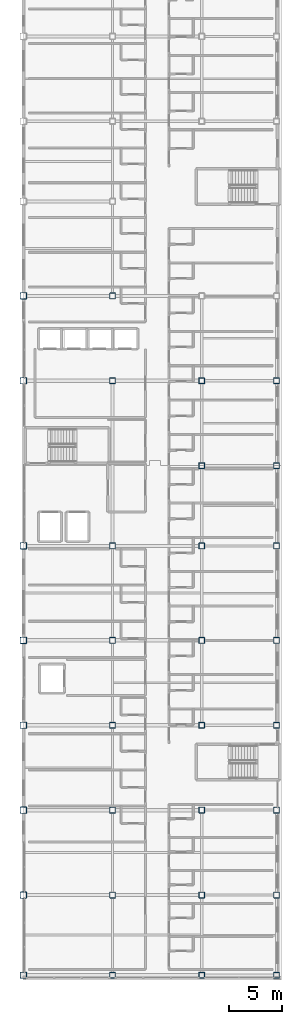
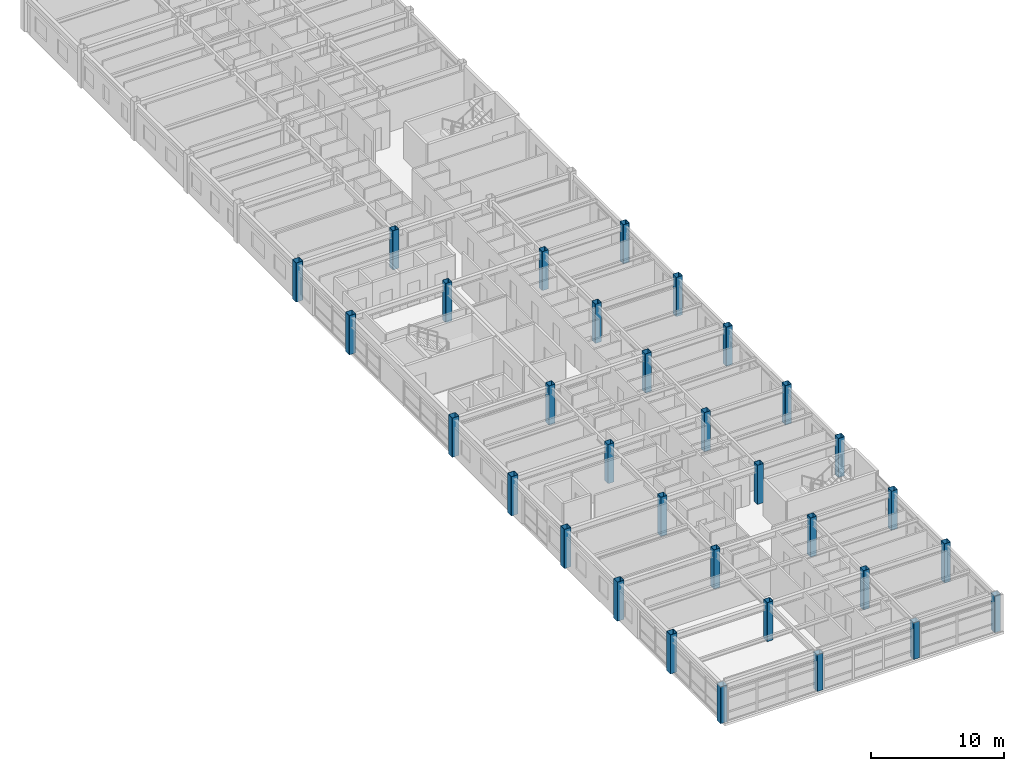
# One storey, part 1 of 36: 32 columns.
"""IFC4 building model written with IfcOpenShell, lengths in metres."""

from ifc_helpers import new_model, si_unit, direction, frame, origin, origin_2d, place, context, subcontext, project, spatial, hollow_rectangle, extrude, material, material_profile, profile_set, type_object, element, save


model = new_model("IFC4")

# Units and contexts
model_context = context("Model", 3, precision=1e-05, world=origin(), true_north=direction((0.0, 1.0)))
body_context = subcontext(model_context, "Body", "Model", "MODEL_VIEW")
ifc_project = project(units=[si_unit("LENGTHUNIT", "METRE"), si_unit("AREAUNIT", "SQUARE_METRE"), si_unit("VOLUMEUNIT", "CUBIC_METRE"), si_unit("PLANEANGLEUNIT", "RADIAN"), si_unit("MASSUNIT", "GRAM", prefix="KILO")], contexts=[model_context])

# Site, building, storey
site_placement = place(None, origin())
site = spatial("IfcSite", under=ifc_project, at=site_placement, CompositionType="ELEMENT")
building_placement = place(site_placement, origin())
building = spatial("IfcBuilding", under=site, at=building_placement, Name="Kazehara Bluff Congress Hotel", CompositionType="ELEMENT")
storey_placement = place(building_placement, frame((0.0, 0.0, 28.199951171875)))
storey = spatial("IfcBuildingStorey", under=building, at=storey_placement, Name="L06", CompositionType="ELEMENT", Elevation=28.199951171875)

# Columns
ifc_material_1 = material(Name="Steel BCR295", Category="steel")
ifc_material_profile_1 = material_profile(ifc_material_1, hollow_rectangle(XDim=0.60009765625, YDim=0.60009765625, WallThickness=0.02490234375, InnerFilletRadius=0.02490234375, OuterFilletRadius=0.050048828125, at=origin_2d()))
ifc_profile_set_1 = profile_set([ifc_material_profile_1], Name="Steel BCR295")
column_type_1 = type_object("IfcColumnType", Name="TP-C-05", PredefinedType="COLUMN", material=ifc_profile_set_1)
column_1_placement = place(storey_placement, frame((143.699951171875, 0.449951171875, 0.0), z_axis=(0.0, 0.0, 1.0), x_axis=(1.0, 0.0, 0.0)))
element("IfcColumn", 1, at=column_1_placement, inside=storey, type_object=column_type_1, Name="L06 column C-05 (143.70,0.45)", PredefinedType="COLUMN", context=body_context, shape_type="SweptSolid", body=[
    extrude(hollow_rectangle(XDim=0.60009765625, YDim=0.60009765625, WallThickness=0.02490234375, InnerFilletRadius=0.02490234375, OuterFilletRadius=0.050048828125, at=origin_2d()), origin(), (0.0, 0.0, 1.0), 3.380126953125),
])
for number, where, z_axis, x_axis, name in (
    (2, (143.699951171875, 8.0, 0.0), (0.0, 0.0, 1.0), (1.0, 0.0, 0.0), "L06 column C-05 (143.70,8.00)"),
    (3, (143.699951171875, 16.0, 0.0), (0.0, 0.0, 1.0), (1.0, 0.0, 0.0), "L06 column C-05 (143.70,16.00)"),
    (4, (143.699951171875, 24.0, 0.0), (0.0, 0.0, 1.0), (1.0, 0.0, 0.0), "L06 column C-05 (143.70,24.00)"),
    (5, (143.699951171875, 32.0, 0.0), (0.0, 0.0, 1.0), (1.0, 0.0, 0.0), "L06 column C-05 (143.70,32.00)"),
    (6, (143.699951171875, 40.89990234375, 0.0), (0.0, 0.0, 1.0), (1.0, 0.0, 0.0), "L06 column C-05 (143.70,40.90)"),
    (7, (143.699951171875, 56.449951171875, 0.0), (0.0, 0.0, 1.0), (1.0, 0.0, 0.0), "L06 column C-05 (143.70,56.45)"),
    (8, (143.699951171875, 64.449951171875, 0.0), (0.0, 0.0, 1.0), (1.0, 0.0, 0.0), "L06 column C-05 (143.70,64.45)"),
):
    element("IfcColumn", number, at=place(storey_placement, frame(where, z_axis=z_axis, x_axis=x_axis)), inside=storey, type_object=column_type_1, Name=name, PredefinedType="COLUMN", context=body_context, shape_type="SweptSolid", body=[
        extrude(hollow_rectangle(XDim=0.60009765625, YDim=0.60009765625, WallThickness=0.02490234375, InnerFilletRadius=0.02490234375, OuterFilletRadius=0.050048828125, at=origin_2d()), origin(), (0.0, 0.0, 1.0), 3.60009765625),
    ])
ifc_material_2 = material(Name="Steel BCR295", Category="steel")
ifc_material_profile_2 = material_profile(ifc_material_2, hollow_rectangle(XDim=0.550048828125, YDim=0.550048828125, WallThickness=0.02197265625, InnerFilletRadius=0.02197265625, OuterFilletRadius=0.0439453125, at=origin_2d()))
ifc_profile_set_2 = profile_set([ifc_material_profile_2], Name="Steel BCR295")
column_type_2 = type_object("IfcColumnType", Name="TP-C-06", PredefinedType="COLUMN", material=ifc_profile_set_2)
column_2_placement = place(storey_placement, frame((152.10009765625, 0.449951171875, 0.0), z_axis=(0.0, 0.0, 1.0), x_axis=(1.0, 0.0, 0.0)))
element("IfcColumn", 9, at=column_2_placement, inside=storey, type_object=column_type_2, Name="L06 column C-06 (152.10,0.45)", PredefinedType="COLUMN", context=body_context, shape_type="SweptSolid", body=[
    extrude(hollow_rectangle(XDim=0.550048828125, YDim=0.550048828125, WallThickness=0.02197265625, InnerFilletRadius=0.02197265625, OuterFilletRadius=0.0439453125, at=origin_2d()), origin(), (0.0, 0.0, 1.0), 3.380126953125),
])
for number, where, z_axis, x_axis, name in (
    (10, (152.10009765625, 8.0, 0.0), (0.0, 0.0, 1.0), (1.0, 0.0, 0.0), "L06 column C-06 (152.10,8.00)"),
    (11, (152.10009765625, 16.0, 0.0), (0.0, 0.0, 1.0), (1.0, 0.0, 0.0), "L06 column C-06 (152.10,16.00)"),
    (12, (152.10009765625, 24.0, 0.0), (0.0, 0.0, 1.0), (1.0, 0.0, 0.0), "L06 column C-06 (152.10,24.00)"),
    (13, (152.10009765625, 32.0, 0.0), (0.0, 0.0, 1.0), (1.0, 0.0, 0.0), "L06 column C-06 (152.10,32.00)"),
    (14, (152.10009765625, 40.89990234375, 0.0), (0.0, 0.0, 1.0), (1.0, 0.0, 0.0), "L06 column C-06 (152.10,40.90)"),
    (15, (152.10009765625, 56.449951171875, 0.0), (0.0, 0.0, 1.0), (1.0, 0.0, 0.0), "L06 column C-06 (152.10,56.45)"),
    (16, (152.10009765625, 64.449951171875, 0.0), (0.0, 0.0, 1.0), (1.0, 0.0, 0.0), "L06 column C-06 (152.10,64.45)"),
):
    element("IfcColumn", number, at=place(storey_placement, frame(where, z_axis=z_axis, x_axis=x_axis)), inside=storey, type_object=column_type_2, Name=name, PredefinedType="COLUMN", context=body_context, shape_type="SweptSolid", body=[
        extrude(hollow_rectangle(XDim=0.550048828125, YDim=0.550048828125, WallThickness=0.02197265625, InnerFilletRadius=0.02197265625, OuterFilletRadius=0.0439453125, at=origin_2d()), origin(), (0.0, 0.0, 1.0), 3.60009765625),
    ])
column_3_placement = place(storey_placement, frame((160.5, 0.449951171875, 0.0), z_axis=(0.0, 0.0, 1.0), x_axis=(1.0, 0.0, 0.0)))
element("IfcColumn", 17, at=column_3_placement, inside=storey, type_object=column_type_2, Name="L06 column C-06 (160.50,0.45)", PredefinedType="COLUMN", context=body_context, shape_type="SweptSolid", body=[
    extrude(hollow_rectangle(XDim=0.550048828125, YDim=0.550048828125, WallThickness=0.02197265625, InnerFilletRadius=0.02197265625, OuterFilletRadius=0.0439453125, at=origin_2d()), origin(), (0.0, 0.0, 1.0), 3.380126953125),
])
for number, where, z_axis, x_axis, name in (
    (18, (160.5, 8.0, 0.0), (0.0, 0.0, 1.0), (1.0, 0.0, 0.0), "L06 column C-06 (160.50,8.00)"),
    (19, (160.5, 16.0, 0.0), (0.0, 0.0, 1.0), (1.0, 0.0, 0.0), "L06 column C-06 (160.50,16.00)"),
    (20, (160.5, 24.0, 0.0), (0.0, 0.0, 1.0), (1.0, 0.0, 0.0), "L06 column C-06 (160.50,24.00)"),
    (21, (160.5, 32.0, 0.0), (0.0, 0.0, 1.0), (1.0, 0.0, 0.0), "L06 column C-06 (160.50,32.00)"),
    (22, (160.5, 40.89990234375, 0.0), (0.0, 0.0, 1.0), (1.0, 0.0, 0.0), "L06 column C-06 (160.50,40.90)"),
    (23, (160.5, 48.449951171875, 0.0), (0.0, 0.0, 1.0), (1.0, 0.0, 0.0), "L06 column C-06 (160.50,48.45)"),
    (24, (160.5, 56.449951171875, 0.0), (0.0, 0.0, 1.0), (1.0, 0.0, 0.0), "L06 column C-06 (160.50,56.45)"),
):
    element("IfcColumn", number, at=place(storey_placement, frame(where, z_axis=z_axis, x_axis=x_axis)), inside=storey, type_object=column_type_2, Name=name, PredefinedType="COLUMN", context=body_context, shape_type="SweptSolid", body=[
        extrude(hollow_rectangle(XDim=0.550048828125, YDim=0.550048828125, WallThickness=0.02197265625, InnerFilletRadius=0.02197265625, OuterFilletRadius=0.0439453125, at=origin_2d()), origin(), (0.0, 0.0, 1.0), 3.60009765625),
    ])
column_4_placement = place(storey_placement, frame((167.550048828125, 0.449951171875, 0.0), z_axis=(0.0, 0.0, 1.0), x_axis=(1.0, 0.0, 0.0)))
element("IfcColumn", 25, at=column_4_placement, inside=storey, type_object=column_type_2, Name="L06 column C-06 (167.55,0.45)", PredefinedType="COLUMN", context=body_context, shape_type="SweptSolid", body=[
    extrude(hollow_rectangle(XDim=0.550048828125, YDim=0.550048828125, WallThickness=0.02197265625, InnerFilletRadius=0.02197265625, OuterFilletRadius=0.0439453125, at=origin_2d()), origin(), (0.0, 0.0, 1.0), 3.380126953125),
])
for number, where, z_axis, x_axis, name in (
    (26, (167.550048828125, 8.0, 0.0), (0.0, 0.0, 1.0), (1.0, 0.0, 0.0), "L06 column C-06 (167.55,8.00)"),
    (27, (167.550048828125, 16.0, 0.0), (0.0, 0.0, 1.0), (1.0, 0.0, 0.0), "L06 column C-06 (167.55,16.00)"),
    (28, (167.550048828125, 24.0, 0.0), (0.0, 0.0, 1.0), (1.0, 0.0, 0.0), "L06 column C-06 (167.55,24.00)"),
    (29, (167.550048828125, 32.0, 0.0), (0.0, 0.0, 1.0), (1.0, 0.0, 0.0), "L06 column C-06 (167.55,32.00)"),
    (30, (167.550048828125, 40.89990234375, 0.0), (0.0, 0.0, 1.0), (1.0, 0.0, 0.0), "L06 column C-06 (167.55,40.90)"),
    (31, (167.550048828125, 48.449951171875, 0.0), (0.0, 0.0, 1.0), (1.0, 0.0, 0.0), "L06 column C-06 (167.55,48.45)"),
    (32, (167.550048828125, 56.449951171875, 0.0), (0.0, 0.0, 1.0), (1.0, 0.0, 0.0), "L06 column C-06 (167.55,56.45)"),
):
    element("IfcColumn", number, at=place(storey_placement, frame(where, z_axis=z_axis, x_axis=x_axis)), inside=storey, type_object=column_type_2, Name=name, PredefinedType="COLUMN", context=body_context, shape_type="SweptSolid", body=[
        extrude(hollow_rectangle(XDim=0.550048828125, YDim=0.550048828125, WallThickness=0.02197265625, InnerFilletRadius=0.02197265625, OuterFilletRadius=0.0439453125, at=origin_2d()), origin(), (0.0, 0.0, 1.0), 3.60009765625),
    ])

save(model, "model.ifc")
